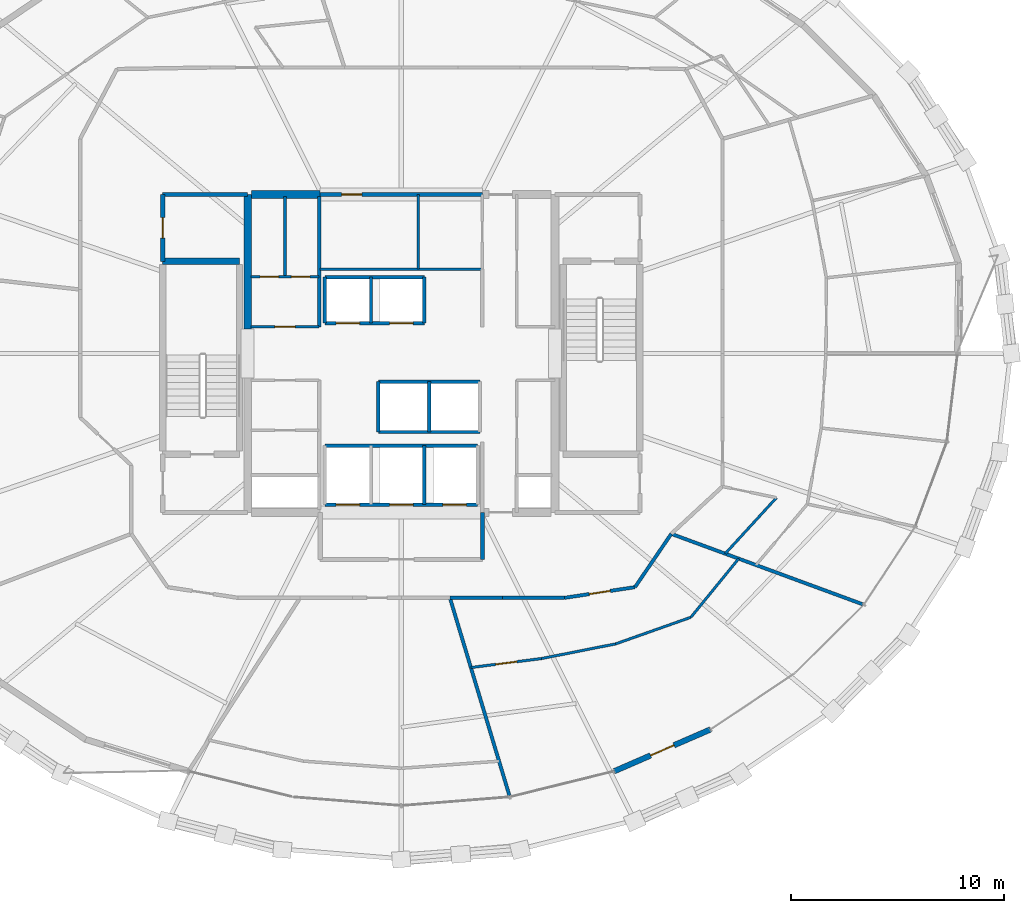
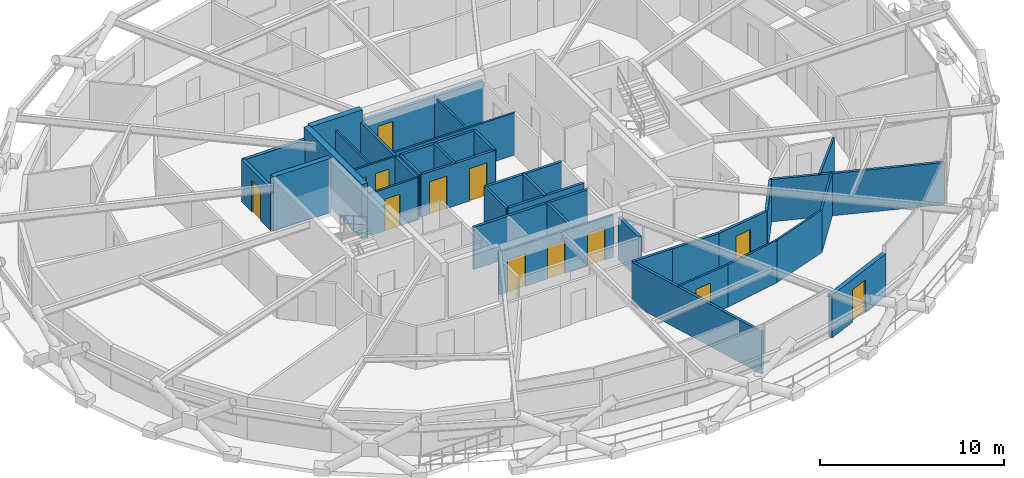
# One storey, part 15 of 21: 37 walls, 13 doors, 13 openings.
"""IFC4 building model written with IfcOpenShell, lengths in metres."""

import ifcopenshell
import ifcopenshell.guid

model = None  # the IFC model being written
_history = None  # IfcOwnerHistory: only IFC2X3 demands one
_inside = {}  # id of a spatial element -> (the spatial element, [elements in it])
_under = {}  # id of a project, library or spatial element -> (it, [spatial elements below it])
_declared = {}  # id of a project -> (the project, [libraries it declares])
_typed = {}  # id of a type object -> (the type object, [elements of that type])
_made_of = {}  # id of a material, layer set ... -> (it, [elements and type objects made of it])


def new_model(schema):
    """Start an empty IFC model of exactly this schema.

    Asked for "IFC4X3", IfcOpenShell would pick the latest addendum, in which some entities
    have other attributes; the version numbers below select the first issue.
    IFC2X3 requires an IfcOwnerHistory on every rooted entity: one is made here for all.
    """
    global model, _history
    if schema == "IFC4X3":
        model = ifcopenshell.file(schema_version=(4, 3, 0, 0))
    else:
        model = ifcopenshell.file(schema=schema)
    _inside.clear()
    _under.clear()
    _declared.clear()
    _typed.clear()
    _made_of.clear()
    _history = None
    if model.schema == "IFC2X3":
        org = make("IfcOrganization", Name="unknown")
        user = make(
            "IfcPersonAndOrganization",
            ThePerson=make("IfcPerson", FamilyName="unknown"),
            TheOrganization=org,
        )
        app = make(
            "IfcApplication",
            ApplicationDeveloper=org,
            Version="unknown",
            ApplicationFullName="unknown",
            ApplicationIdentifier="unknown",
        )
        _history = make(
            "IfcOwnerHistory",
            OwningUser=user,
            OwningApplication=app,
            ChangeAction="ADDED",
            CreationDate=0,
        )
    return model


def make(cls, **values):
    """One entity of the class cls with the attributes given. An attribute that is None is left unset."""
    return model.create_entity(
        cls, **{name: value for name, value in values.items() if value is not None}
    )


def rooted(cls, **values):
    """An entity with a GlobalId (a new one), such as an element, a storey or a relation."""
    return make(cls, GlobalId=ifcopenshell.guid.new(), OwnerHistory=_history, **values)


def si_unit(unit_type, name, prefix=None):
    """IfcSIUnit, for example si_unit("LENGTHUNIT", "METRE", prefix="MILLI")."""
    return make("IfcSIUnit", UnitType=unit_type, Prefix=prefix, Name=name)


def assignment(units):
    """IfcUnitAssignment: the units of a project."""
    return None if units is None else make("IfcUnitAssignment", Units=units)


def point(xyz):
    """IfcCartesianPoint."""
    return None if xyz is None else make("IfcCartesianPoint", Coordinates=xyz)


def direction(xyz):
    """IfcDirection."""
    return None if xyz is None else make("IfcDirection", DirectionRatios=xyz)


def frame(location, z_axis=None, x_axis=None):
    """IfcAxis2Placement3D, a coordinate frame: its origin and axes. An axis left out is left unset."""
    return make(
        "IfcAxis2Placement3D",
        Location=point(location),
        Axis=direction(z_axis),
        RefDirection=direction(x_axis),
    )


def frame_2d(location, x_axis=None):
    """IfcAxis2Placement2D, a coordinate frame in the plane: its origin and x axis."""
    return make(
        "IfcAxis2Placement2D", Location=point(location), RefDirection=direction(x_axis)
    )


def origin():
    """The frame at (0, 0, 0) with its axes left unset."""
    return frame((0.0, 0.0, 0.0))


def place(relative_to, where):
    """IfcLocalPlacement: puts the frame where relative to a parent placement (None: the world)."""
    return make(
        "IfcLocalPlacement", PlacementRelTo=relative_to, RelativePlacement=where
    )


def context(
    kind, dimensions, precision=None, world=None, true_north=None, identifier=None
):
    """IfcGeometricRepresentationContext, for example the 3D "Model" context."""
    return make(
        "IfcGeometricRepresentationContext",
        ContextIdentifier=identifier,
        ContextType=kind,
        CoordinateSpaceDimension=dimensions,
        Precision=precision,
        WorldCoordinateSystem=world,
        TrueNorth=true_north,
    )


def subcontext(parent, identifier, kind, view, scale=None):
    """IfcGeometricRepresentationSubContext, for example "Body" below "Model"."""
    return make(
        "IfcGeometricRepresentationSubContext",
        ContextIdentifier=identifier,
        ContextType=kind,
        ParentContext=parent,
        TargetScale=scale,
        TargetView=view,
    )


def project(units=None, contexts=None):
    """IfcProject with its units and contexts."""
    return rooted(
        "IfcProject",
        Name="project",
        RepresentationContexts=contexts,
        UnitsInContext=assignment(units),
    )


def spatial(cls, under=None, at=None, **own):
    """A site, building, storey or space (cls), placed at a placement, below another one or the project."""
    s = rooted(cls, ObjectPlacement=at, **own)
    if under is not None:
        _under.setdefault(under.id(), (under, []))[1].append(s)
    return s


def profile(cls, at=None, kind="AREA", **sizes):
    """A parametric profile (cls). Its sizes go by their IFC names, for example OverallWidth=200.0."""
    return make(cls, ProfileType=kind, Position=at, **sizes)


def rectangle(**sizes):
    """IfcRectangleProfileDef."""
    return profile("IfcRectangleProfileDef", **sizes)


def extrude(swept, where, along, depth):
    """IfcExtrudedAreaSolid: the profile swept, set in the frame where, extruded along a direction by depth."""
    return make(
        "IfcExtrudedAreaSolid",
        SweptArea=swept,
        Position=where,
        ExtrudedDirection=direction(along),
        Depth=depth,
    )


def shape(context_of_items, identifier, shape_type, items):
    """IfcShapeRepresentation: the items that make up one representation, for example the "Body"."""
    return make(
        "IfcShapeRepresentation",
        ContextOfItems=context_of_items,
        RepresentationIdentifier=identifier,
        RepresentationType=shape_type,
        Items=items,
    )


def material(Name=None, Category=None):
    """IfcMaterial."""
    return make("IfcMaterial", Name=Name, Category=Category)


def layer(
    of_material, thickness, ventilated=None, Name=None, Category=None, Priority=None
):
    """IfcMaterialLayer: one layer of a wall or slab, of a material (None: an air gap)."""
    return make(
        "IfcMaterialLayer",
        Material=of_material,
        LayerThickness=thickness,
        IsVentilated=ventilated,
        Name=Name,
        Category=Category,
        Priority=Priority,
    )


def layer_set(layers, Name=None):
    """IfcMaterialLayerSet."""
    return make("IfcMaterialLayerSet", MaterialLayers=layers, LayerSetName=Name)


def made_of(thing, what):
    """Note that an element or type object is made of a material, layer set ...; save() writes the relation."""
    if what is not None:
        _made_of.setdefault(what.id(), (what, []))[1].append(thing)
    return thing


def type_object(cls, material=None, **own):
    """A type object (cls), such as IfcWallType, which elements share."""
    return made_of(rooted(cls, **own), material)


def element(
    cls,
    number,
    at=None,
    inside=None,
    cuts=None,
    type_object=None,
    material=None,
    context=None,
    identifier="Body",
    shape_type=None,
    held_by="IfcProductDefinitionShape",
    body=None,
    shapes=None,
    **own,
):
    """One element of the class cls, such as IfcWall. Its Tag is "e" and its number.

    at: its placement. inside: the storey or other place that contains it. cuts: it is an
    opening in that element (IfcRelVoidsElement). A single representation is given by context,
    identifier, shape_type and body (its items); several are given by shapes. held_by: the class
    of the entity that holds the representations. save() writes the other relations.
    """
    e = rooted(cls, Tag="e%d" % number, ObjectPlacement=at, **own)
    if body is not None:
        shapes = [shape(context, identifier, shape_type, body)]
    if shapes is not None:
        e.Representation = make(held_by, Representations=shapes)
    if inside is not None:
        _inside.setdefault(inside.id(), (inside, []))[1].append(e)
    if cuts is not None:
        rooted(
            "IfcRelVoidsElement", RelatingBuildingElement=cuts, RelatedOpeningElement=e
        )
    if type_object is not None:
        _typed.setdefault(type_object.id(), (type_object, []))[1].append(e)
    return made_of(e, material)


def fill(opening, filler):
    """IfcRelFillsElement: the door or window that sits in an opening."""
    return rooted(
        "IfcRelFillsElement",
        RelatingOpeningElement=opening,
        RelatedBuildingElement=filler,
    )


def aggregate(whole, parts):
    """IfcRelAggregates: a whole, such as a stair, and the parts it consists of."""
    return rooted("IfcRelAggregates", RelatingObject=whole, RelatedObjects=parts)


def save(model, path):
    """Write the relations noted so far, then the file.

    IfcRelAggregates (storeys below a building ...), IfcRelContainedInSpatialStructure (elements
    in a storey), IfcRelDefinesByType, IfcRelAssociatesMaterial and IfcRelDeclares: one each for
    every whole, place, type object, material and project.
    """
    for whole, parts in _under.values():
        aggregate(whole, parts)
    for where, things in _inside.values():
        rooted(
            "IfcRelContainedInSpatialStructure",
            RelatedElements=things,
            RelatingStructure=where,
        )
    for kind, things in _typed.values():
        rooted("IfcRelDefinesByType", RelatedObjects=things, RelatingType=kind)
    for what, things in _made_of.values():
        rooted("IfcRelAssociatesMaterial", RelatedObjects=things, RelatingMaterial=what)
    for by, libraries in _declared.values():
        rooted("IfcRelDeclares", RelatingContext=by, RelatedDefinitions=libraries)
    model.write(path)


model = new_model("IFC4")

# Units and contexts
model_context = context("Model", 3, precision=1e-05, world=origin(), true_north=direction((0.0, 1.0)))
body_context = subcontext(model_context, "Body", "Model", "MODEL_VIEW")
ifc_project = project(units=[si_unit("LENGTHUNIT", "METRE"), si_unit("AREAUNIT", "SQUARE_METRE"), si_unit("VOLUMEUNIT", "CUBIC_METRE"), si_unit("PLANEANGLEUNIT", "RADIAN"), si_unit("MASSUNIT", "GRAM", prefix="KILO")], contexts=[model_context])

# Site, building, storey
site_placement = place(None, origin())
site = spatial("IfcSite", under=ifc_project, at=site_placement, CompositionType="ELEMENT")
building_placement = place(site_placement, origin())
building = spatial("IfcBuilding", under=site, at=building_placement, Name="Veldorina Hangang Commons", CompositionType="ELEMENT")
storey_placement = place(building_placement, frame((0.0, 0.0, 128.0)))
storey = spatial("IfcBuildingStorey", under=building, at=storey_placement, Name="L32", CompositionType="ELEMENT", Elevation=128.0)

# Walls
ifc_material_1 = material(Name="Concrete C60/75", Category="concrete")
ifc_layer_1 = layer(ifc_material_1, 0.360107421875)
ifc_layer_set_1 = layer_set([ifc_layer_1], Name="Concrete C60/75")
wall_type_1 = type_object("IfcWallType", Name="CW-RC360-C60", PredefinedType="SHEAR", material=ifc_layer_set_1)
wall_1_placement = place(storey_placement, frame((24.800048828125, 25.14990234375, 0.0), z_axis=(0.0, 0.0, 1.0), x_axis=(0.0, 1.0, 0.0)))
element("IfcWall", 1, at=wall_1_placement, inside=storey, type_object=wall_type_1, Name="L32 W north core shear wall", PredefinedType="SHEAR", context=body_context, shape_type="SweptSolid", body=[
    extrude(rectangle(XDim=6.300048828125, YDim=0.360107421875, at=frame_2d((3.14990234375, 0.0))), origin(), (0.0, 0.0, 1.0), 3.60009765625),
])
wall_2_placement = place(storey_placement, frame((24.97998046875, 31.449951171875, 0.0), z_axis=(0.0, 0.0, 1.0), x_axis=(1.0, 0.0, 0.0)))
element("IfcWall", 2, at=wall_2_placement, inside=storey, type_object=wall_type_1, Name="L32 north-west core shear wall", PredefinedType="SHEAR", context=body_context, shape_type="SweptSolid", body=[
    extrude(rectangle(XDim=3.219970703125, YDim=0.360107421875, at=frame_2d((1.60986328125, 0.0))), origin(), (0.0, 0.0, 1.0), 3.60009765625),
])

# Wall, opening, door
ifc_material_2 = material(Name="Stone Roman Travertine", Category="masonry")
ifc_layer_2 = layer(ifc_material_2, 0.260009765625)
ifc_layer_set_2 = layer_set([ifc_layer_2], Name="Stone Roman Travertine")
wall_type_2 = type_object("IfcWallType", Name="EW-LOGGIA-260", PredefinedType="STANDARD", material=ifc_layer_set_2)
wall_3_placement = place(storey_placement, frame((41.974853515625, 4.423095703125, 0.0), z_axis=(0.0, 0.0, 1.0), x_axis=(0.917164827063, 0.39850806767, 0.0)))
wall_3 = element("IfcWall", 3, at=wall_3_placement, inside=storey, type_object=wall_type_2, Name="L32 sky-garden loggia portal wall 26", PredefinedType="STANDARD", context=body_context, shape_type="SweptSolid", body=[
    extrude(rectangle(XDim=4.913330078125, YDim=0.260009765625, at=frame_2d((2.45654296875, 0.0))), origin(), (0.0, 0.0, 1.0), 2.820068359375),
])
opening_1_placement = place(wall_3_placement, frame((1.856689453125, 0.0, 0.0)))
opening_1 = element("IfcOpeningElement", 4, at=opening_1_placement, cuts=wall_3, Name="Opening BD-1200", PredefinedType="OPENING", context=body_context, shape_type="SweptSolid", body=[
    extrude(rectangle(XDim=1.199951171875, YDim=2.14990234375, at=frame_2d((0.60009765625, 1.074951171875))), frame((0.0, 0.14013671875, 0.0), z_axis=(0.0, -1.0, 0.0), x_axis=(1.0, 0.0, 0.0)), (0.0, 0.0, 1.0), 0.280029296875),
])
ifc_material_3 = material(Name="Glass Thermal Aluminium Frame", Category="aluminium")
door_type_1 = type_object("IfcDoorType", Name="DR-EXT-LOG1200", OperationType="SINGLE_SWING_LEFT", PredefinedType="DOOR", material=ifc_material_3)
door_1_placement = place(opening_1_placement, origin())
door_1 = element("IfcDoor", 5, at=door_1_placement, inside=storey, type_object=door_type_1, Name="L32 loggia glazed exterior door 26", OperationType="SINGLE_SWING_LEFT", OverallHeight=2.14990234375, OverallWidth=1.199951171875, PredefinedType="DOOR", context=body_context, shape_type="SweptSolid", body=[
    extrude(rectangle(XDim=1.199951171875, YDim=2.14990234375, at=frame_2d((0.60009765625, 1.074951171875))), frame((0.0, 0.02490234375, 0.0), z_axis=(0.0, -1.0, 0.0), x_axis=(1.0, 0.0, 0.0)), (0.0, 0.0, 1.0), 0.050048828125),
])
fill(opening_1, door_1)

# Wall
ifc_material_4 = material(Name="Concrete C50/60", Category="concrete")
ifc_layer_3 = layer(ifc_material_4, 0.300048828125)
ifc_layer_set_3 = layer_set([ifc_layer_3], Name="Concrete C50/60")
wall_type_3 = type_object("IfcWallType", Name="SW-STAIR-300", PredefinedType="SHEAR", material=ifc_layer_set_3)
wall_4_placement = place(storey_placement, frame((20.820068359375, 28.320068359375, 0.0), z_axis=(0.0, 0.0, 1.0), x_axis=(1.0, 0.0, 0.0)))
element("IfcWall", 6, at=wall_4_placement, inside=storey, type_object=wall_type_3, Name="L32 ST1 north stair shear wall", PredefinedType="SHEAR", context=body_context, shape_type="SweptSolid", body=[
    extrude(rectangle(XDim=3.599853515625, YDim=0.300048828125, at=frame_2d((1.7998046875, 0.0))), origin(), (0.0, 0.0, 1.0), 3.60009765625),
])

# Wall, openings, doors
ifc_material_5 = material(Name="Gypsum Fire-Rated Twin Stud Wall", Category="gypsum")
ifc_layer_4 = layer(ifc_material_5, 0.159912109375)
ifc_layer_set_4 = layer_set([ifc_layer_4], Name="Gypsum Fire-Rated Twin Stud Wall")
wall_type_4 = type_object("IfcWallType", Name="WL-FIRE-160", PredefinedType="SOLIDWALL", material=ifc_layer_set_4)
wall_5_placement = place(storey_placement, frame((28.419921875, 25.419921875, 0.0), z_axis=(0.0, 0.0, 1.0), x_axis=(1.0, 0.0, 0.0)))
wall_5 = element("IfcWall", 7, at=wall_5_placement, inside=storey, type_object=wall_type_4, Name="L32 Mid-high front shaft wall 015", PredefinedType="SOLIDWALL", context=body_context, shape_type="SweptSolid", body=[
    extrude(rectangle(XDim=4.66015625, YDim=0.159912109375, at=frame_2d((2.330078125, 0.0))), origin(), (0.0, 0.0, 1.0), 2.800048828125),
])
opening_2_placement = place(wall_5_placement, frame((0.530029296875, 0.0, 0.0)))
opening_2 = element("IfcOpeningElement", 8, at=opening_2_placement, cuts=wall_5, Name="Opening LD-01", PredefinedType="OPENING", context=body_context, shape_type="SweptSolid", body=[
    extrude(rectangle(XDim=1.10009765625, YDim=2.14990234375, at=frame_2d((0.550048828125, 1.074951171875))), frame((0.0, 0.08984375, 0.0), z_axis=(0.0, -1.0, 0.0), x_axis=(1.0, 0.0, 0.0)), (0.0, 0.0, 1.0), 0.179931640625),
])
opening_3_placement = place(wall_5_placement, frame((3.030029296875, 0.0, 0.0)))
opening_3 = element("IfcOpeningElement", 9, at=opening_3_placement, cuts=wall_5, Name="Opening LD-01", PredefinedType="OPENING", context=body_context, shape_type="SweptSolid", body=[
    extrude(rectangle(XDim=1.10009765625, YDim=2.14990234375, at=frame_2d((0.550048828125, 1.074951171875))), frame((0.0, 0.08984375, 0.0), z_axis=(0.0, -1.0, 0.0), x_axis=(1.0, 0.0, 0.0)), (0.0, 0.0, 1.0), 0.179931640625),
])
ifc_material_6 = material(Name="Stainless Steel Brushed Lift Door", Category="steel")
door_type_2 = type_object("IfcDoorType", Name="DR-LIFT-1100", OperationType="SLIDING_TO_LEFT", PredefinedType="DOOR", material=ifc_material_6)
door_2_placement = place(opening_2_placement, origin())
door_2 = element("IfcDoor", 10, at=door_2_placement, inside=storey, type_object=door_type_2, Name="L32 Lift PL-M1 landing door 006", OperationType="SLIDING_TO_RIGHT", OverallHeight=2.14990234375, OverallWidth=1.10009765625, PredefinedType="DOOR", context=body_context, shape_type="SweptSolid", body=[
    extrude(rectangle(XDim=1.10009765625, YDim=2.14990234375, at=frame_2d((0.550048828125, 1.074951171875))), frame((0.0, 0.02490234375, 0.0), z_axis=(0.0, -1.0, 0.0), x_axis=(1.0, 0.0, 0.0)), (0.0, 0.0, 1.0), 0.050048828125),
])
fill(opening_2, door_2)
door_3_placement = place(opening_3_placement, origin())
door_3 = element("IfcDoor", 11, at=door_3_placement, inside=storey, type_object=door_type_2, Name="L32 Lift PL-M2 landing door 007", OperationType="SLIDING_TO_RIGHT", OverallHeight=2.14990234375, OverallWidth=1.10009765625, PredefinedType="DOOR", context=body_context, shape_type="SweptSolid", body=[
    extrude(rectangle(XDim=1.10009765625, YDim=2.14990234375, at=frame_2d((0.550048828125, 1.074951171875))), frame((0.0, 0.02490234375, 0.0), z_axis=(0.0, -1.0, 0.0), x_axis=(1.0, 0.0, 0.0)), (0.0, 0.0, 1.0), 0.050048828125),
])
fill(opening_3, door_3)

# Walls
wall_6_placement = place(storey_placement, frame((28.419921875, 27.580078125, 0.0), z_axis=(0.0, 0.0, 1.0), x_axis=(1.0, 0.0, 0.0)))
element("IfcWall", 12, at=wall_6_placement, inside=storey, type_object=wall_type_4, Name="L32 Mid-high rear shaft wall 016", PredefinedType="SOLIDWALL", context=body_context, shape_type="SweptSolid", body=[
    extrude(rectangle(XDim=4.66015625, YDim=0.159912109375, at=frame_2d((2.330078125, 0.0))), origin(), (0.0, 0.0, 1.0), 2.800048828125),
])
for number, where, z_axis, x_axis, name in (
    (13, (28.419921875, 25.419921875, 0.0), (0.0, 0.0, 1.0), (0.0, 1.0, 0.0), "L32 PL-M1 west shaft wall 017"),
    (14, (30.580078125, 25.419921875, 0.0), (0.0, 0.0, 1.0), (0.0, 1.0, 0.0), "L32 PL-M1 east shaft wall 018"),
    (15, (33.080078125, 25.419921875, 0.0), (0.0, 0.0, 1.0), (0.0, 1.0, 0.0), "L32 PL-M2 east shaft wall 019"),
):
    element("IfcWall", number, at=place(storey_placement, frame(where, z_axis=z_axis, x_axis=x_axis)), inside=storey, type_object=wall_type_4, Name=name, PredefinedType="SOLIDWALL", context=body_context, shape_type="SweptSolid", body=[
        extrude(rectangle(XDim=2.16015625, YDim=0.159912109375, at=frame_2d((1.080078125, 0.0))), origin(), (0.0, 0.0, 1.0), 2.800048828125),
    ])
for number, where, z_axis, x_axis, name in (
    (16, (30.919921875, 22.679931640625, 0.0), (0.0, 0.0, 1.0), (1.0, 0.0, 0.0), "L32 Shuttle-high front shaft wall 020"),
    (17, (30.919921875, 20.320068359375, 0.0), (0.0, 0.0, 1.0), (1.0, 0.0, 0.0), "L32 Shuttle-high rear shaft wall 021"),
):
    element("IfcWall", number, at=place(storey_placement, frame(where, z_axis=z_axis, x_axis=x_axis)), inside=storey, type_object=wall_type_4, Name=name, PredefinedType="SOLIDWALL", context=body_context, shape_type="SweptSolid", body=[
        extrude(rectangle(XDim=4.760009765625, YDim=0.159912109375, at=frame_2d((2.3798828125, 0.0))), origin(), (0.0, 0.0, 1.0), 2.800048828125),
    ])
for number, where, z_axis, x_axis, name in (
    (18, (30.919921875, 20.320068359375, 0.0), (0.0, 0.0, 1.0), (0.0, 1.0, 0.0), "L32 SL-1 west shaft wall 022"),
    (19, (33.300048828125, 20.320068359375, 0.0), (0.0, 0.0, 1.0), (0.0, 1.0, 0.0), "L32 SL-1 east shaft wall 023"),
):
    element("IfcWall", number, at=place(storey_placement, frame(where, z_axis=z_axis, x_axis=x_axis)), inside=storey, type_object=wall_type_4, Name=name, PredefinedType="SOLIDWALL", context=body_context, shape_type="SweptSolid", body=[
        extrude(rectangle(XDim=2.35986328125, YDim=0.159912109375, at=frame_2d((1.179931640625, 0.0))), origin(), (0.0, 0.0, 1.0), 2.800048828125),
    ])

# Wall, openings, doors
wall_7_placement = place(storey_placement, frame((28.419921875, 16.919921875, 0.0), z_axis=(0.0, 0.0, 1.0), x_axis=(1.0, 0.0, 0.0)))
wall_7 = element("IfcWall", 20, at=wall_7_placement, inside=storey, type_object=wall_type_4, Name="L32 Emergency front shaft wall 025", PredefinedType="SOLIDWALL", context=body_context, shape_type="SweptSolid", body=[
    extrude(rectangle(XDim=7.16015625, YDim=0.159912109375, at=frame_2d((3.580078125, 0.0))), origin(), (0.0, 0.0, 1.0), 2.800048828125),
])
opening_4_placement = place(wall_7_placement, frame((0.530029296875, 0.0, 0.0)))
opening_4 = element("IfcOpeningElement", 21, at=opening_4_placement, cuts=wall_7, Name="Opening LD-03", PredefinedType="OPENING", context=body_context, shape_type="SweptSolid", body=[
    extrude(rectangle(XDim=1.10009765625, YDim=2.14990234375, at=frame_2d((0.550048828125, 1.074951171875))), frame((0.0, 0.08984375, 0.0), z_axis=(0.0, -1.0, 0.0), x_axis=(1.0, 0.0, 0.0)), (0.0, 0.0, 1.0), 0.179931640625),
])
opening_5_placement = place(wall_7_placement, frame((3.030029296875, 0.0, 0.0)))
opening_5 = element("IfcOpeningElement", 22, at=opening_5_placement, cuts=wall_7, Name="Opening LD-03", PredefinedType="OPENING", context=body_context, shape_type="SweptSolid", body=[
    extrude(rectangle(XDim=1.10009765625, YDim=2.14990234375, at=frame_2d((0.550048828125, 1.074951171875))), frame((0.0, 0.08984375, 0.0), z_axis=(0.0, -1.0, 0.0), x_axis=(1.0, 0.0, 0.0)), (0.0, 0.0, 1.0), 0.179931640625),
])
opening_6_placement = place(wall_7_placement, frame((5.530029296875, 0.0, 0.0)))
opening_6 = element("IfcOpeningElement", 23, at=opening_6_placement, cuts=wall_7, Name="Opening LD-03", PredefinedType="OPENING", context=body_context, shape_type="SweptSolid", body=[
    extrude(rectangle(XDim=1.10009765625, YDim=2.14990234375, at=frame_2d((0.550048828125, 1.074951171875))), frame((0.0, 0.08984375, 0.0), z_axis=(0.0, -1.0, 0.0), x_axis=(1.0, 0.0, 0.0)), (0.0, 0.0, 1.0), 0.179931640625),
])
ifc_material_7 = material(Name="Stainless Steel Firefighting Lift Door", Category="steel")
door_type_3 = type_object("IfcDoorType", Name="DR-LIFT-FF1100", OperationType="SLIDING_TO_RIGHT", PredefinedType="DOOR", material=ifc_material_7)
door_4_placement = place(opening_4_placement, origin())
door_4 = element("IfcDoor", 24, at=door_4_placement, inside=storey, type_object=door_type_3, Name="L32 Emergency lift FFL-1 landing door 008", OperationType="SLIDING_TO_RIGHT", OverallHeight=2.14990234375, OverallWidth=1.10009765625, PredefinedType="DOOR", context=body_context, shape_type="SweptSolid", body=[
    extrude(rectangle(XDim=1.10009765625, YDim=2.14990234375, at=frame_2d((0.550048828125, 1.074951171875))), frame((0.0, 0.02490234375, 0.0), z_axis=(0.0, -1.0, 0.0), x_axis=(1.0, 0.0, 0.0)), (0.0, 0.0, 1.0), 0.050048828125),
])
fill(opening_4, door_4)
door_5_placement = place(opening_5_placement, origin())
door_5 = element("IfcDoor", 25, at=door_5_placement, inside=storey, type_object=door_type_3, Name="L32 Emergency lift FFL-2 landing door 009", OperationType="SLIDING_TO_RIGHT", OverallHeight=2.14990234375, OverallWidth=1.10009765625, PredefinedType="DOOR", context=body_context, shape_type="SweptSolid", body=[
    extrude(rectangle(XDim=1.10009765625, YDim=2.14990234375, at=frame_2d((0.550048828125, 1.074951171875))), frame((0.0, 0.02490234375, 0.0), z_axis=(0.0, -1.0, 0.0), x_axis=(1.0, 0.0, 0.0)), (0.0, 0.0, 1.0), 0.050048828125),
])
fill(opening_5, door_5)
door_6_placement = place(opening_6_placement, origin())
door_6 = element("IfcDoor", 26, at=door_6_placement, inside=storey, type_object=door_type_3, Name="L32 Emergency lift EVL-1 landing door 010", OperationType="SLIDING_TO_RIGHT", OverallHeight=2.14990234375, OverallWidth=1.10009765625, PredefinedType="DOOR", context=body_context, shape_type="SweptSolid", body=[
    extrude(rectangle(XDim=1.10009765625, YDim=2.14990234375, at=frame_2d((0.550048828125, 1.074951171875))), frame((0.0, 0.02490234375, 0.0), z_axis=(0.0, -1.0, 0.0), x_axis=(1.0, 0.0, 0.0)), (0.0, 0.0, 1.0), 0.050048828125),
])
fill(opening_6, door_6)

# Walls
wall_8_placement = place(storey_placement, frame((28.419921875, 19.679931640625, 0.0), z_axis=(0.0, 0.0, 1.0), x_axis=(1.0, 0.0, 0.0)))
element("IfcWall", 27, at=wall_8_placement, inside=storey, type_object=wall_type_4, Name="L32 Emergency rear shaft wall 026", PredefinedType="SOLIDWALL", context=body_context, shape_type="SweptSolid", body=[
    extrude(rectangle(XDim=7.16015625, YDim=0.159912109375, at=frame_2d((3.580078125, 0.0))), origin(), (0.0, 0.0, 1.0), 2.800048828125),
])
wall_9_placement = place(storey_placement, frame((33.080078125, 16.919921875, 0.0), z_axis=(0.0, 0.0, 1.0), x_axis=(0.0, 1.0, 0.0)))
element("IfcWall", 28, at=wall_9_placement, inside=storey, type_object=wall_type_4, Name="L32 FFL-2 east shaft wall 029", PredefinedType="SOLIDWALL", context=body_context, shape_type="SweptSolid", body=[
    extrude(rectangle(XDim=2.760009765625, YDim=0.159912109375, at=frame_2d((1.3798828125, 0.0))), origin(), (0.0, 0.0, 1.0), 2.800048828125),
])
wall_10_placement = place(storey_placement, frame((28.14990234375, 25.25, 0.0), z_axis=(0.0, 0.0, 1.0), x_axis=(0.0, 1.0, 0.0)))
element("IfcWall", 29, at=wall_10_placement, inside=storey, type_object=wall_type_4, Name="L32 NW core inner wall 038", PredefinedType="SOLIDWALL", context=body_context, shape_type="SweptSolid", body=[
    extrude(rectangle(XDim=6.10009765625, YDim=0.159912109375, at=frame_2d((3.050048828125, 0.0))), origin(), (0.0, 0.0, 1.0), 2.800048828125),
])
wall_11_placement = place(storey_placement, frame((34.277587890625, 12.550048828125, 0.0), z_axis=(0.0, 0.0, 1.0), x_axis=(1.0, 0.0, 0.0)))
element("IfcWall", 30, at=wall_11_placement, inside=storey, type_object=wall_type_4, Name="L32 U-corridor outer wall 25 073", PredefinedType="SOLIDWALL", context=body_context, shape_type="SweptSolid", body=[
    extrude(rectangle(XDim=2.465087890625, YDim=0.159912109375, at=frame_2d((1.232421875, 0.0))), origin(), (0.0, 0.0, 1.0), 2.800048828125),
])
wall_12_placement = place(storey_placement, frame((36.74267578125, 12.550048828125, 0.0), z_axis=(0.0, 0.0, 1.0), x_axis=(1.0, 0.0, 0.0)))
element("IfcWall", 31, at=wall_12_placement, inside=storey, type_object=wall_type_4, Name="L32 U-corridor outer wall 26 074", PredefinedType="SOLIDWALL", context=body_context, shape_type="SweptSolid", body=[
    extrude(rectangle(XDim=2.907958984375, YDim=0.159912109375, at=frame_2d((1.4541015625, 0.0))), origin(), (0.0, 0.0, 1.0), 2.800048828125),
])

# Wall, opening, door
wall_13_placement = place(storey_placement, frame((39.650634765625, 12.550048828125, 0.0), z_axis=(0.0, 0.0, 1.0), x_axis=(0.988710906508, 0.149835721217, 0.0)))
wall_13 = element("IfcWall", 32, at=wall_13_placement, inside=storey, type_object=wall_type_4, Name="L32 U-corridor outer wall 27 075", PredefinedType="SOLIDWALL", context=body_context, shape_type="SweptSolid", body=[
    extrude(rectangle(XDim=3.3369140625, YDim=0.159912109375, at=frame_2d((1.66845703125, 0.0))), origin(), (0.0, 0.0, 1.0), 2.800048828125),
])
opening_7_placement = place(wall_13_placement, frame((1.16845703125, 0.0, 0.0)))
opening_7 = element("IfcOpeningElement", 33, at=opening_7_placement, cuts=wall_13, Name="Opening D-05", PredefinedType="OPENING", context=body_context, shape_type="SweptSolid", body=[
    extrude(rectangle(XDim=1.0, YDim=2.10009765625, at=frame_2d((0.5, 1.050048828125))), frame((0.0, 0.08984375, 0.0), z_axis=(0.0, -1.0, 0.0), x_axis=(1.0, 0.0, 0.0)), (0.0, 0.0, 1.0), 0.179931640625),
])
ifc_material_8 = material(Name="Timber Solid Core Acoustic", Category="wood")
door_type_4 = type_object("IfcDoorType", Name="DR-INT-1000", OperationType="SINGLE_SWING_RIGHT", PredefinedType="DOOR", material=ifc_material_8)
door_7_placement = place(opening_7_placement, origin())
door_7 = element("IfcDoor", 34, at=door_7_placement, inside=storey, type_object=door_type_4, Name="L32 Commons alcove door 020", OperationType="SINGLE_SWING_RIGHT", OverallHeight=2.10009765625, OverallWidth=1.0, PredefinedType="DOOR", context=body_context, shape_type="SweptSolid", body=[
    extrude(rectangle(XDim=1.0, YDim=2.10009765625, at=frame_2d((0.5, 1.050048828125))), frame((0.0, 0.02490234375, 0.0), z_axis=(0.0, -1.0, 0.0), x_axis=(1.0, 0.0, 0.0)), (0.0, 0.0, 1.0), 0.050048828125),
])
fill(opening_7, door_7)

# Walls
wall_14_placement = place(storey_placement, frame((42.949951171875, 13.050048828125, 0.0), z_axis=(0.0, 0.0, 1.0), x_axis=(0.562674669208, 0.826678423955, 0.0)))
element("IfcWall", 35, at=wall_14_placement, inside=storey, type_object=wall_type_4, Name="L32 U-corridor outer wall 28 076", PredefinedType="SOLIDWALL", context=body_context, shape_type="SweptSolid", body=[
    extrude(rectangle(XDim=3.021240234375, YDim=0.159912109375, at=frame_2d((1.5107421875, 0.0))), origin(), (0.0, 0.0, 1.0), 2.800048828125),
])
wall_15_placement = place(storey_placement, frame((34.277587890625, 12.550048828125, 0.0), z_axis=(0.0, 0.0, 1.0), x_axis=(0.288080089765, -0.957606318839, 0.0)))
element("IfcWall", 36, at=wall_15_placement, inside=storey, type_object=wall_type_4, Name="L32 Unit party wall 25 080", PredefinedType="SOLIDWALL", context=body_context, shape_type="SweptSolid", body=[
    extrude(rectangle(XDim=9.696044921875, YDim=0.159912109375, at=frame_2d((4.84814453125, 0.0))), origin(), (0.0, 0.0, 1.0), 2.800048828125),
])
wall_16_placement = place(storey_placement, frame((44.64990234375, 15.547607421875, 0.0), z_axis=(0.0, 0.0, 1.0), x_axis=(0.938483808639, -0.345323241215, 0.0)))
element("IfcWall", 37, at=wall_16_placement, inside=storey, type_object=wall_type_4, Name="L32 Unit party wall 29 085", PredefinedType="SOLIDWALL", context=body_context, shape_type="SweptSolid", body=[
    extrude(rectangle(XDim=9.564208984375, YDim=0.159912109375, at=frame_2d((4.7822265625, 0.0))), origin(), (0.0, 0.0, 1.0), 2.800048828125),
])

# Wall, opening, door
ifc_material_9 = material(Name="Concrete Blockwork Fire Wall C30/37", Category="masonry")
ifc_layer_5 = layer(ifc_material_9, 0.199951171875)
ifc_layer_set_5 = layer_set([ifc_layer_5], Name="Concrete Blockwork Fire Wall C30/37")
wall_type_5 = type_object("IfcWallType", Name="WL-FIRE-200", PredefinedType="SOLIDWALL", material=ifc_layer_set_5)
wall_17_placement = place(storey_placement, frame((20.820068359375, 28.320068359375, 0.0), z_axis=(0.0, 0.0, 1.0), x_axis=(0.0, 1.0, 0.0)))
wall_17 = element("IfcWall", 38, at=wall_17_placement, inside=storey, type_object=wall_type_5, Name="L32 NW core room outer wall 005", PredefinedType="SOLIDWALL", context=body_context, shape_type="SweptSolid", body=[
    extrude(rectangle(XDim=3.1298828125, YDim=0.199951171875, at=frame_2d((1.56494140625, 0.0))), origin(), (0.0, 0.0, 1.0), 2.800048828125),
])
opening_8_placement = place(wall_17_placement, frame((1.090087890625, 0.0, 0.0)))
opening_8 = element("IfcOpeningElement", 39, at=opening_8_placement, cuts=wall_17, Name="Opening D-04", PredefinedType="OPENING", context=body_context, shape_type="SweptSolid", body=[
    extrude(rectangle(XDim=0.949951171875, YDim=2.10009765625, at=frame_2d((0.47509765625, 1.050048828125))), frame((0.0, 0.10986328125, 0.0), z_axis=(0.0, -1.0, 0.0), x_axis=(1.0, 0.0, 0.0)), (0.0, 0.0, 1.0), 0.219970703125),
])
ifc_material_10 = material(Name="Timber Accessible Flush Leaf", Category="wood")
door_type_5 = type_object("IfcDoorType", Name="DR-ACC-950", OperationType="SINGLE_SWING_LEFT", PredefinedType="DOOR", material=ifc_material_10)
door_8_placement = place(opening_8_placement, origin())
door_8 = element("IfcDoor", 40, at=door_8_placement, inside=storey, type_object=door_type_5, Name="L32 NW core WC door 003", OperationType="SINGLE_SWING_LEFT", OverallHeight=2.10009765625, OverallWidth=0.949951171875, PredefinedType="DOOR", context=body_context, shape_type="SweptSolid", body=[
    extrude(rectangle(XDim=0.949951171875, YDim=2.10009765625, at=frame_2d((0.47509765625, 1.050048828125))), frame((0.0, 0.02490234375, 0.0), z_axis=(0.0, -1.0, 0.0), x_axis=(1.0, 0.0, 0.0)), (0.0, 0.0, 1.0), 0.050048828125),
])
fill(opening_8, door_8)

# Walls
wall_18_placement = place(storey_placement, frame((20.820068359375, 31.449951171875, 0.0), z_axis=(0.0, 0.0, 1.0), x_axis=(1.0, 0.0, 0.0)))
element("IfcWall", 41, at=wall_18_placement, inside=storey, type_object=wall_type_5, Name="L32 NW core room north wall 006", PredefinedType="SOLIDWALL", context=body_context, shape_type="SweptSolid", body=[
    extrude(rectangle(XDim=3.97998046875, YDim=0.199951171875, at=frame_2d((1.989990234375, 0.0))), origin(), (0.0, 0.0, 1.0), 2.800048828125),
])
wall_19_placement = place(storey_placement, frame((35.800048828125, 14.35009765625, 0.0), z_axis=(0.0, 0.0, 1.0), x_axis=(0.0, 1.0, 0.0)))
element("IfcWall", 42, at=wall_19_placement, inside=storey, type_object=wall_type_5, Name="L32 FF lobby east wall 013", PredefinedType="SOLIDWALL", context=body_context, shape_type="SweptSolid", body=[
    extrude(rectangle(XDim=2.199951171875, YDim=0.199951171875, at=frame_2d((1.10009765625, 0.0))), origin(), (0.0, 0.0, 1.0), 2.800048828125),
])

# Wall, opening, door
wall_20_placement = place(storey_placement, frame((28.199951171875, 31.449951171875, 0.0), z_axis=(0.0, 0.0, 1.0), x_axis=(1.0, 0.0, 0.0)))
wall_20 = element("IfcWall", 43, at=wall_20_placement, inside=storey, type_object=wall_type_5, Name="L32 Merged north core wall 031", PredefinedType="SOLIDWALL", context=body_context, shape_type="SweptSolid", body=[
    extrude(rectangle(XDim=7.60009765625, YDim=0.199951171875, at=frame_2d((3.800048828125, 0.0))), origin(), (0.0, 0.0, 1.0), 2.800048828125),
])
opening_9_placement = place(wall_20_placement, frame((1.0, 0.0, 0.0)))
opening_9 = element("IfcOpeningElement", 44, at=opening_9_placement, cuts=wall_20, Name="Opening D-02", PredefinedType="OPENING", context=body_context, shape_type="SweptSolid", body=[
    extrude(rectangle(XDim=0.949951171875, YDim=2.10009765625, at=frame_2d((0.47509765625, 1.050048828125))), frame((0.0, 0.10986328125, 0.0), z_axis=(0.0, -1.0, 0.0), x_axis=(1.0, 0.0, 0.0)), (0.0, 0.0, 1.0), 0.219970703125),
])
door_type_6 = type_object("IfcDoorType", Name="DR-INT-950", OperationType="SINGLE_SWING_LEFT", PredefinedType="DOOR", material=ifc_material_8)
door_9_placement = place(opening_9_placement, origin())
door_9 = element("IfcDoor", 45, at=door_9_placement, inside=storey, type_object=door_type_6, Name="L32 Core study alcove door 011", OperationType="SINGLE_SWING_LEFT", OverallHeight=2.10009765625, OverallWidth=0.949951171875, PredefinedType="DOOR", context=body_context, shape_type="SweptSolid", body=[
    extrude(rectangle(XDim=0.949951171875, YDim=2.10009765625, at=frame_2d((0.47509765625, 1.050048828125))), frame((0.0, 0.02490234375, 0.0), z_axis=(0.0, -1.0, 0.0), x_axis=(1.0, 0.0, 0.0)), (0.0, 0.0, 1.0), 0.050048828125),
])
fill(opening_9, door_9)

# Walls
ifc_material_11 = material(Name="Gypsum Acoustic Stud Partition", Category="gypsum")
ifc_layer_6 = layer(ifc_material_11, 0.1201171875)
ifc_layer_set_6 = layer_set([ifc_layer_6], Name="Gypsum Acoustic Stud Partition")
wall_type_6 = type_object("IfcWallType", Name="WL-PART-120", PredefinedType="PARTITIONING", material=ifc_layer_set_6)
wall_21_placement = place(storey_placement, frame((28.199951171875, 27.949951171875, 0.0), z_axis=(0.0, 0.0, 1.0), x_axis=(1.0, 0.0, 0.0)))
element("IfcWall", 46, at=wall_21_placement, inside=storey, type_object=wall_type_6, Name="L32 Merged north south wall 032", PredefinedType="PARTITIONING", context=body_context, shape_type="SweptSolid", body=[
    extrude(rectangle(XDim=7.60009765625, YDim=0.1201171875, at=frame_2d((3.800048828125, 0.0))), origin(), (0.0, 0.0, 1.0), 2.800048828125),
])
wall_22_placement = place(storey_placement, frame((32.800048828125, 27.949951171875, 0.0), z_axis=(0.0, 0.0, 1.0), x_axis=(0.0, 1.0, 0.0)))
element("IfcWall", 47, at=wall_22_placement, inside=storey, type_object=wall_type_6, Name="L32 Merged north split wall 034", PredefinedType="PARTITIONING", context=body_context, shape_type="SweptSolid", body=[
    extrude(rectangle(XDim=3.5, YDim=0.1201171875, at=frame_2d((1.75, 0.0))), origin(), (0.0, 0.0, 1.0), 2.800048828125),
])

# Wall, opening, door
wall_23_placement = place(storey_placement, frame((24.949951171875, 25.25, 0.0), z_axis=(0.0, 0.0, 1.0), x_axis=(1.0, 0.0, 0.0)))
wall_23 = element("IfcWall", 48, at=wall_23_placement, inside=storey, type_object=wall_type_6, Name="L32 NW service south wall 039", PredefinedType="PARTITIONING", context=body_context, shape_type="SweptSolid", body=[
    extrude(rectangle(XDim=3.199951171875, YDim=0.1201171875, at=frame_2d((1.60009765625, 0.0))), origin(), (0.0, 0.0, 1.0), 2.800048828125),
])
opening_10_placement = place(wall_23_placement, frame((1.125, 0.0, 0.0)))
opening_10 = element("IfcOpeningElement", 49, at=opening_10_placement, cuts=wall_23, Name="Opening D-02", PredefinedType="OPENING", context=body_context, shape_type="SweptSolid", body=[
    extrude(rectangle(XDim=0.949951171875, YDim=2.10009765625, at=frame_2d((0.47509765625, 1.050048828125))), frame((0.0, 0.070068359375, 0.0), z_axis=(0.0, -1.0, 0.0), x_axis=(1.0, 0.0, 0.0)), (0.0, 0.0, 1.0), 0.14013671875),
])
door_10_placement = place(opening_10_placement, origin())
door_10 = element("IfcDoor", 50, at=door_10_placement, inside=storey, type_object=door_type_6, Name="L32 Utility vestibule door 013", OperationType="SINGLE_SWING_LEFT", OverallHeight=2.10009765625, OverallWidth=0.949951171875, PredefinedType="DOOR", context=body_context, shape_type="SweptSolid", body=[
    extrude(rectangle(XDim=0.949951171875, YDim=2.10009765625, at=frame_2d((0.47509765625, 1.050048828125))), frame((0.0, 0.02490234375, 0.0), z_axis=(0.0, -1.0, 0.0), x_axis=(1.0, 0.0, 0.0)), (0.0, 0.0, 1.0), 0.050048828125),
])
fill(opening_10, door_10)

# Wall, openings, doors
wall_24_placement = place(storey_placement, frame((24.949951171875, 27.60009765625, 0.0), z_axis=(0.0, 0.0, 1.0), x_axis=(1.0, 0.0, 0.0)))
wall_24 = element("IfcWall", 51, at=wall_24_placement, inside=storey, type_object=wall_type_6, Name="L32 NW lower split 045", PredefinedType="PARTITIONING", context=body_context, shape_type="SweptSolid", body=[
    extrude(rectangle(XDim=3.199951171875, YDim=0.1201171875, at=frame_2d((1.60009765625, 0.0))), origin(), (0.0, 0.0, 1.0), 2.800048828125),
])
opening_11_placement = place(wall_24_placement, frame((0.43994140625, 0.0, 0.0)))
opening_11 = element("IfcOpeningElement", 52, at=opening_11_placement, cuts=wall_24, Name="Opening D-01", PredefinedType="OPENING", context=body_context, shape_type="SweptSolid", body=[
    extrude(rectangle(XDim=0.860107421875, YDim=2.10009765625, at=frame_2d((0.43017578125, 1.050048828125))), frame((0.0, 0.070068359375, 0.0), z_axis=(0.0, -1.0, 0.0), x_axis=(1.0, 0.0, 0.0)), (0.0, 0.0, 1.0), 0.14013671875),
])
opening_12_placement = place(wall_24_placement, frame((1.89990234375, 0.0, 0.0)))
opening_12 = element("IfcOpeningElement", 53, at=opening_12_placement, cuts=wall_24, Name="Opening D-01", PredefinedType="OPENING", context=body_context, shape_type="SweptSolid", body=[
    extrude(rectangle(XDim=0.860107421875, YDim=2.10009765625, at=frame_2d((0.43017578125, 1.050048828125))), frame((0.0, 0.070068359375, 0.0), z_axis=(0.0, -1.0, 0.0), x_axis=(1.0, 0.0, 0.0)), (0.0, 0.0, 1.0), 0.14013671875),
])
ifc_material_12 = material(Name="Timber Moisture-Resistant Core", Category="wood")
door_type_7 = type_object("IfcDoorType", Name="DR-WET-860", OperationType="SINGLE_SWING_LEFT", PredefinedType="DOOR", material=ifc_material_12)
door_11_placement = place(opening_11_placement, origin())
door_11 = element("IfcDoor", 54, at=door_11_placement, inside=storey, type_object=door_type_7, Name="L32 Store A door 014", OperationType="SINGLE_SWING_RIGHT", OverallHeight=2.10009765625, OverallWidth=0.860107421875, PredefinedType="DOOR", context=body_context, shape_type="SweptSolid", body=[
    extrude(rectangle(XDim=0.860107421875, YDim=2.10009765625, at=frame_2d((0.43017578125, 1.050048828125))), frame((0.0, 0.02490234375, 0.0), z_axis=(0.0, -1.0, 0.0), x_axis=(1.0, 0.0, 0.0)), (0.0, 0.0, 1.0), 0.050048828125),
])
fill(opening_11, door_11)
door_12_placement = place(opening_12_placement, origin())
door_12 = element("IfcDoor", 55, at=door_12_placement, inside=storey, type_object=door_type_7, Name="L32 Store B door 015", OperationType="SINGLE_SWING_LEFT", OverallHeight=2.10009765625, OverallWidth=0.860107421875, PredefinedType="DOOR", context=body_context, shape_type="SweptSolid", body=[
    extrude(rectangle(XDim=0.860107421875, YDim=2.10009765625, at=frame_2d((0.43017578125, 1.050048828125))), frame((0.0, 0.02490234375, 0.0), z_axis=(0.0, -1.0, 0.0), x_axis=(1.0, 0.0, 0.0)), (0.0, 0.0, 1.0), 0.050048828125),
])
fill(opening_12, door_12)

# Wall
wall_25_placement = place(storey_placement, frame((26.550048828125, 27.60009765625, 0.0), z_axis=(0.0, 0.0, 1.0), x_axis=(0.0, 1.0, 0.0)))
element("IfcWall", 56, at=wall_25_placement, inside=storey, type_object=wall_type_6, Name="L32 NW upper vertical split 046", PredefinedType="PARTITIONING", context=body_context, shape_type="SweptSolid", body=[
    extrude(rectangle(XDim=3.75, YDim=0.1201171875, at=frame_2d((1.875, 0.0))), origin(), (0.0, 0.0, 1.0), 2.800048828125),
])

# Wall, opening, door
wall_26_placement = place(storey_placement, frame((35.26025390625, 9.28369140625, 0.0), z_axis=(0.0, 0.0, 1.0), x_axis=(0.99199308458, 0.126292201441, 0.0)))
wall_26 = element("IfcWall", 57, at=wall_26_placement, inside=storey, type_object=wall_type_6, Name="L32 Lounge alcove split 0 081", PredefinedType="PARTITIONING", context=body_context, shape_type="SweptSolid", body=[
    extrude(rectangle(XDim=3.340576171875, YDim=0.1201171875, at=frame_2d((1.67041015625, 0.0))), origin(), (0.0, 0.0, 1.0), 2.800048828125),
])
opening_13_placement = place(wall_26_placement, frame((1.17041015625, 0.0, 0.0)))
opening_13 = element("IfcOpeningElement", 58, at=opening_13_placement, cuts=wall_26, Name="Opening D-05", PredefinedType="OPENING", context=body_context, shape_type="SweptSolid", body=[
    extrude(rectangle(XDim=1.0, YDim=2.10009765625, at=frame_2d((0.5, 1.050048828125))), frame((0.0, 0.070068359375, 0.0), z_axis=(0.0, -1.0, 0.0), x_axis=(1.0, 0.0, 0.0)), (0.0, 0.0, 1.0), 0.14013671875),
])
door_13_placement = place(opening_13_placement, origin())
door_13 = element("IfcDoor", 59, at=door_13_placement, inside=storey, type_object=door_type_4, Name="L32 Commons lounge door 021", OperationType="SINGLE_SWING_LEFT", OverallHeight=2.10009765625, OverallWidth=1.0, PredefinedType="DOOR", context=body_context, shape_type="SweptSolid", body=[
    extrude(rectangle(XDim=1.0, YDim=2.10009765625, at=frame_2d((0.5, 1.050048828125))), frame((0.0, 0.02490234375, 0.0), z_axis=(0.0, -1.0, 0.0), x_axis=(1.0, 0.0, 0.0)), (0.0, 0.0, 1.0), 0.050048828125),
])
fill(opening_13, door_13)

# Walls
wall_27_placement = place(storey_placement, frame((38.573974609375, 9.70556640625, 0.0), z_axis=(0.0, 0.0, 1.0), x_axis=(0.981021848775, 0.19389722078, 0.0)))
element("IfcWall", 60, at=wall_27_placement, inside=storey, type_object=wall_type_6, Name="L32 Lounge alcove split 1 082", PredefinedType="PARTITIONING", context=body_context, shape_type="SweptSolid", body=[
    extrude(rectangle(XDim=3.534423828125, YDim=0.1201171875, at=frame_2d((1.76708984375, 0.0))), origin(), (0.0, 0.0, 1.0), 2.800048828125),
])
wall_28_placement = place(storey_placement, frame((42.041259765625, 10.390869140625, 0.0), z_axis=(0.0, 0.0, 1.0), x_axis=(0.942784138044, 0.333403762806, 0.0)))
element("IfcWall", 61, at=wall_28_placement, inside=storey, type_object=wall_type_6, Name="L32 Lounge alcove split 2 083", PredefinedType="PARTITIONING", context=body_context, shape_type="SweptSolid", body=[
    extrude(rectangle(XDim=3.7412109375, YDim=0.1201171875, at=frame_2d((1.87060546875, 0.0))), origin(), (0.0, 0.0, 1.0), 2.800048828125),
])
wall_29_placement = place(storey_placement, frame((45.568359375, 11.63818359375, 0.0), z_axis=(0.0, 0.0, 1.0), x_axis=(0.631833921948, 0.775103796324, 0.0)))
element("IfcWall", 62, at=wall_29_placement, inside=storey, type_object=wall_type_6, Name="L32 Lounge alcove split 3 084", PredefinedType="PARTITIONING", context=body_context, shape_type="SweptSolid", body=[
    extrude(rectangle(XDim=3.54443359375, YDim=0.1201171875, at=frame_2d((1.772216796875, 0.0))), origin(), (0.0, 0.0, 1.0), 2.800048828125),
])
wall_30_placement = place(storey_placement, frame((47.176513671875, 14.617919921875, 0.0), z_axis=(0.0, 0.0, 1.0), x_axis=(0.675367129761, 0.737481687935, 0.0)))
element("IfcWall", 63, at=wall_30_placement, inside=storey, type_object=wall_type_6, Name="L32 Cluster 2 bath front wall 086", PredefinedType="PARTITIONING", context=body_context, shape_type="SweptSolid", body=[
    extrude(rectangle(XDim=3.55712890625, YDim=0.1201171875, at=frame_2d((1.778564453125, 0.0))), origin(), (0.0, 0.0, 1.0), 2.800048828125),
])

save(model, "model.ifc")
